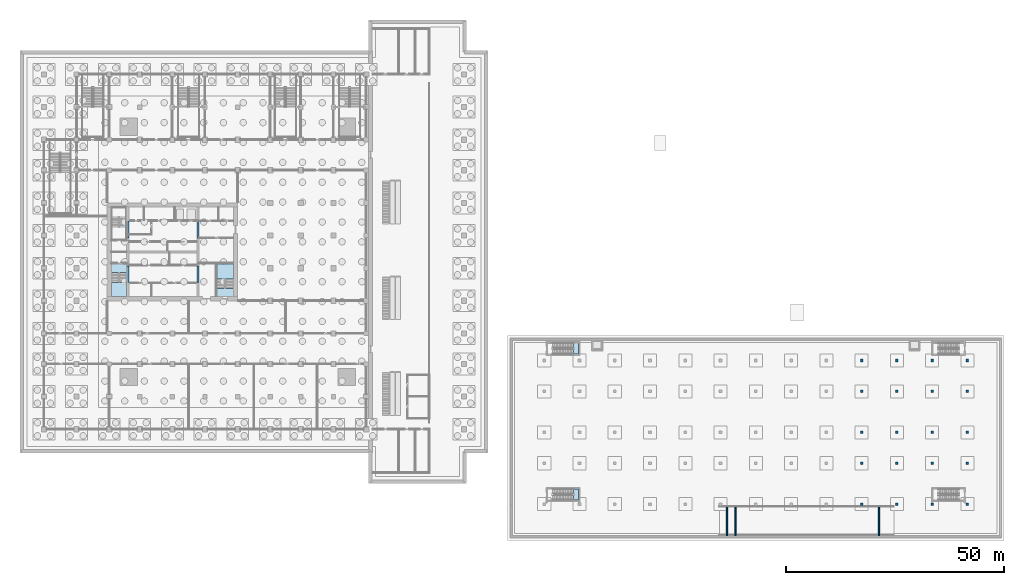
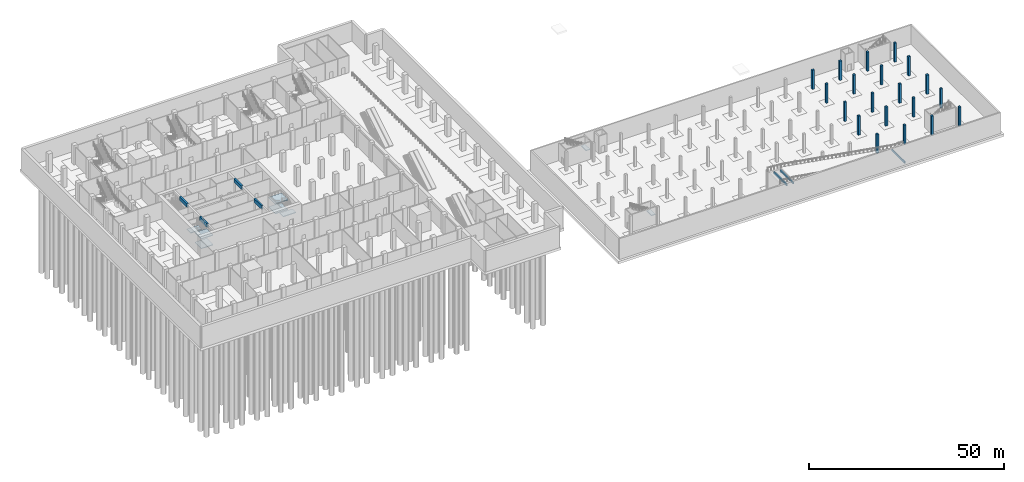
# One storey, part 4 of 39: 20 columns, 8 slabs, 7 beams, 4 elements without a shape of their own.
"""IFC4 building model written with IfcOpenShell, lengths in metres."""

import ifcopenshell
import ifcopenshell.guid

model = None  # the IFC model being written
_history = None  # IfcOwnerHistory: only IFC2X3 demands one
_inside = {}  # id of a spatial element -> (the spatial element, [elements in it])
_under = {}  # id of a project, library or spatial element -> (it, [spatial elements below it])
_declared = {}  # id of a project -> (the project, [libraries it declares])
_typed = {}  # id of a type object -> (the type object, [elements of that type])
_made_of = {}  # id of a material, layer set ... -> (it, [elements and type objects made of it])


def new_model(schema):
    """Start an empty IFC model of exactly this schema.

    Asked for "IFC4X3", IfcOpenShell would pick the latest addendum, in which some entities
    have other attributes; the version numbers below select the first issue.
    IFC2X3 requires an IfcOwnerHistory on every rooted entity: one is made here for all.
    """
    global model, _history
    if schema == "IFC4X3":
        model = ifcopenshell.file(schema_version=(4, 3, 0, 0))
    else:
        model = ifcopenshell.file(schema=schema)
    _inside.clear()
    _under.clear()
    _declared.clear()
    _typed.clear()
    _made_of.clear()
    _history = None
    if model.schema == "IFC2X3":
        org = make("IfcOrganization", Name="unknown")
        user = make(
            "IfcPersonAndOrganization",
            ThePerson=make("IfcPerson", FamilyName="unknown"),
            TheOrganization=org,
        )
        app = make(
            "IfcApplication",
            ApplicationDeveloper=org,
            Version="unknown",
            ApplicationFullName="unknown",
            ApplicationIdentifier="unknown",
        )
        _history = make(
            "IfcOwnerHistory",
            OwningUser=user,
            OwningApplication=app,
            ChangeAction="ADDED",
            CreationDate=0,
        )
    return model


def make(cls, **values):
    """One entity of the class cls with the attributes given. An attribute that is None is left unset."""
    return model.create_entity(
        cls, **{name: value for name, value in values.items() if value is not None}
    )


def rooted(cls, **values):
    """An entity with a GlobalId (a new one), such as an element, a storey or a relation."""
    return make(cls, GlobalId=ifcopenshell.guid.new(), OwnerHistory=_history, **values)


def si_unit(unit_type, name, prefix=None):
    """IfcSIUnit, for example si_unit("LENGTHUNIT", "METRE", prefix="MILLI")."""
    return make("IfcSIUnit", UnitType=unit_type, Prefix=prefix, Name=name)


def assignment(units):
    """IfcUnitAssignment: the units of a project."""
    return None if units is None else make("IfcUnitAssignment", Units=units)


def point(xyz):
    """IfcCartesianPoint."""
    return None if xyz is None else make("IfcCartesianPoint", Coordinates=xyz)


def direction(xyz):
    """IfcDirection."""
    return None if xyz is None else make("IfcDirection", DirectionRatios=xyz)


def frame(location, z_axis=None, x_axis=None):
    """IfcAxis2Placement3D, a coordinate frame: its origin and axes. An axis left out is left unset."""
    return make(
        "IfcAxis2Placement3D",
        Location=point(location),
        Axis=direction(z_axis),
        RefDirection=direction(x_axis),
    )


def frame_2d(location, x_axis=None):
    """IfcAxis2Placement2D, a coordinate frame in the plane: its origin and x axis."""
    return make(
        "IfcAxis2Placement2D", Location=point(location), RefDirection=direction(x_axis)
    )


def origin():
    """The frame at (0, 0, 0) with its axes left unset."""
    return frame((0.0, 0.0, 0.0))


def origin_2d():
    """The frame at (0, 0) in the plane with its x axis left unset."""
    return frame_2d((0.0, 0.0))


def place(relative_to, where):
    """IfcLocalPlacement: puts the frame where relative to a parent placement (None: the world)."""
    return make(
        "IfcLocalPlacement", PlacementRelTo=relative_to, RelativePlacement=where
    )


def context(
    kind, dimensions, precision=None, world=None, true_north=None, identifier=None
):
    """IfcGeometricRepresentationContext, for example the 3D "Model" context."""
    return make(
        "IfcGeometricRepresentationContext",
        ContextIdentifier=identifier,
        ContextType=kind,
        CoordinateSpaceDimension=dimensions,
        Precision=precision,
        WorldCoordinateSystem=world,
        TrueNorth=true_north,
    )


def subcontext(parent, identifier, kind, view, scale=None):
    """IfcGeometricRepresentationSubContext, for example "Body" below "Model"."""
    return make(
        "IfcGeometricRepresentationSubContext",
        ContextIdentifier=identifier,
        ContextType=kind,
        ParentContext=parent,
        TargetScale=scale,
        TargetView=view,
    )


def project(units=None, contexts=None):
    """IfcProject with its units and contexts."""
    return rooted(
        "IfcProject",
        Name="project",
        RepresentationContexts=contexts,
        UnitsInContext=assignment(units),
    )


def spatial(cls, under=None, at=None, **own):
    """A site, building, storey or space (cls), placed at a placement, below another one or the project."""
    s = rooted(cls, ObjectPlacement=at, **own)
    if under is not None:
        _under.setdefault(under.id(), (under, []))[1].append(s)
    return s


def polyline(points):
    """IfcPolyline through the points."""
    return make("IfcPolyline", Points=[point(p) for p in points])


def profile(cls, at=None, kind="AREA", **sizes):
    """A parametric profile (cls). Its sizes go by their IFC names, for example OverallWidth=200.0."""
    return make(cls, ProfileType=kind, Position=at, **sizes)


def rectangle(**sizes):
    """IfcRectangleProfileDef."""
    return profile("IfcRectangleProfileDef", **sizes)


def outline(outer, holes=None, kind="AREA"):
    """IfcArbitraryClosedProfileDef: a profile drawn as a closed curve; with holes, ...WithVoids."""
    if holes is None:
        return make("IfcArbitraryClosedProfileDef", ProfileType=kind, OuterCurve=outer)
    return make(
        "IfcArbitraryProfileDefWithVoids",
        ProfileType=kind,
        OuterCurve=outer,
        InnerCurves=holes,
    )


def extrude(swept, where, along, depth):
    """IfcExtrudedAreaSolid: the profile swept, set in the frame where, extruded along a direction by depth."""
    return make(
        "IfcExtrudedAreaSolid",
        SweptArea=swept,
        Position=where,
        ExtrudedDirection=direction(along),
        Depth=depth,
    )


def shape(context_of_items, identifier, shape_type, items):
    """IfcShapeRepresentation: the items that make up one representation, for example the "Body"."""
    return make(
        "IfcShapeRepresentation",
        ContextOfItems=context_of_items,
        RepresentationIdentifier=identifier,
        RepresentationType=shape_type,
        Items=items,
    )


def material(Name=None, Category=None):
    """IfcMaterial."""
    return make("IfcMaterial", Name=Name, Category=Category)


def layer(
    of_material, thickness, ventilated=None, Name=None, Category=None, Priority=None
):
    """IfcMaterialLayer: one layer of a wall or slab, of a material (None: an air gap)."""
    return make(
        "IfcMaterialLayer",
        Material=of_material,
        LayerThickness=thickness,
        IsVentilated=ventilated,
        Name=Name,
        Category=Category,
        Priority=Priority,
    )


def layer_set(layers, Name=None):
    """IfcMaterialLayerSet."""
    return make("IfcMaterialLayerSet", MaterialLayers=layers, LayerSetName=Name)


def material_profile(
    of_material, cross_section, Name=None, Category=None, Priority=None
):
    """IfcMaterialProfile: a cross section and its material."""
    return make(
        "IfcMaterialProfile",
        Name=Name,
        Material=of_material,
        Profile=cross_section,
        Priority=Priority,
        Category=Category,
    )


def profile_set(profiles, Name=None, composite=None):
    """IfcMaterialProfileSet."""
    return make(
        "IfcMaterialProfileSet",
        Name=Name,
        MaterialProfiles=profiles,
        CompositeProfile=composite,
    )


def made_of(thing, what):
    """Note that an element or type object is made of a material, layer set ...; save() writes the relation."""
    if what is not None:
        _made_of.setdefault(what.id(), (what, []))[1].append(thing)
    return thing


def type_object(cls, material=None, **own):
    """A type object (cls), such as IfcWallType, which elements share."""
    return made_of(rooted(cls, **own), material)


def element(
    cls,
    number,
    at=None,
    inside=None,
    cuts=None,
    type_object=None,
    material=None,
    context=None,
    identifier="Body",
    shape_type=None,
    held_by="IfcProductDefinitionShape",
    body=None,
    shapes=None,
    **own,
):
    """One element of the class cls, such as IfcWall. Its Tag is "e" and its number.

    at: its placement. inside: the storey or other place that contains it. cuts: it is an
    opening in that element (IfcRelVoidsElement). A single representation is given by context,
    identifier, shape_type and body (its items); several are given by shapes. held_by: the class
    of the entity that holds the representations. save() writes the other relations.
    """
    e = rooted(cls, Tag="e%d" % number, ObjectPlacement=at, **own)
    if body is not None:
        shapes = [shape(context, identifier, shape_type, body)]
    if shapes is not None:
        e.Representation = make(held_by, Representations=shapes)
    if inside is not None:
        _inside.setdefault(inside.id(), (inside, []))[1].append(e)
    if cuts is not None:
        rooted(
            "IfcRelVoidsElement", RelatingBuildingElement=cuts, RelatedOpeningElement=e
        )
    if type_object is not None:
        _typed.setdefault(type_object.id(), (type_object, []))[1].append(e)
    return made_of(e, material)


def aggregate(whole, parts):
    """IfcRelAggregates: a whole, such as a stair, and the parts it consists of."""
    return rooted("IfcRelAggregates", RelatingObject=whole, RelatedObjects=parts)


def save(model, path):
    """Write the relations noted so far, then the file.

    IfcRelAggregates (storeys below a building ...), IfcRelContainedInSpatialStructure (elements
    in a storey), IfcRelDefinesByType, IfcRelAssociatesMaterial and IfcRelDeclares: one each for
    every whole, place, type object, material and project.
    """
    for whole, parts in _under.values():
        aggregate(whole, parts)
    for where, things in _inside.values():
        rooted(
            "IfcRelContainedInSpatialStructure",
            RelatedElements=things,
            RelatingStructure=where,
        )
    for kind, things in _typed.values():
        rooted("IfcRelDefinesByType", RelatedObjects=things, RelatingType=kind)
    for what, things in _made_of.values():
        rooted("IfcRelAssociatesMaterial", RelatedObjects=things, RelatingMaterial=what)
    for by, libraries in _declared.values():
        rooted("IfcRelDeclares", RelatingContext=by, RelatedDefinitions=libraries)
    model.write(path)


model = new_model("IFC4")

# Units and contexts
model_context = context("Model", 3, precision=1e-05, world=origin(), true_north=direction((0.0, 1.0)))
body_context = subcontext(model_context, "Body", "Model", "MODEL_VIEW")
ifc_project = project(units=[si_unit("LENGTHUNIT", "METRE"), si_unit("AREAUNIT", "SQUARE_METRE"), si_unit("VOLUMEUNIT", "CUBIC_METRE"), si_unit("PLANEANGLEUNIT", "RADIAN"), si_unit("MASSUNIT", "GRAM", prefix="KILO")], contexts=[model_context])

# Site, building, storey
site_placement = place(None, origin())
site = spatial("IfcSite", under=ifc_project, at=site_placement, CompositionType="ELEMENT")
building_placement = place(site_placement, origin())
building = spatial("IfcBuilding", under=site, at=building_placement, Name="Tamorin Gate", CompositionType="ELEMENT")
storey_placement = place(building_placement, frame((0.0, 0.0, -12.0)))
storey = spatial("IfcBuildingStorey", under=building, at=storey_placement, Name="B2", CompositionType="ELEMENT", Elevation=-12.0)

# Columns
ifc_material_1 = material(Name="Concrete C50/60", Category="concrete")
ifc_material_profile_1 = material_profile(ifc_material_1, rectangle(XDim=0.60009765625, YDim=0.60009765625, at=origin_2d()))
ifc_profile_set_1 = profile_set([ifc_material_profile_1], Name="Concrete C50/60")
column_type = type_object("IfcColumnType", Name="RC column 600x600 C50/60", PredefinedType="COLUMN", material=ifc_profile_set_1)
for number, where, z_axis, x_axis, name in (
    (1, (203.300048828125, 13.300048828125, 0.0), (0.0, 0.0, 1.0), (1.0, 0.0, 0.0), "Car park column B2"),
    (2, (203.300048828125, 22.699951171875, 0.0), (0.0, 0.0, 1.0), (1.0, 0.0, 0.0), "Car park column B2"),
    (3, (203.300048828125, 29.800048828125, 0.0), (0.0, 0.0, 1.0), (1.0, 0.0, 0.0), "Car park column B2"),
    (4, (203.300048828125, 39.199951171875, 0.0), (0.0, 0.0, 1.0), (1.0, 0.0, 0.0), "Car park column B2"),
    (5, (203.300048828125, 46.300048828125, 0.0), (0.0, 0.0, 1.0), (1.0, 0.0, 0.0), "Car park column B2"),
    (6, (211.39990234375, 13.300048828125, 0.0), (0.0, 0.0, 1.0), (1.0, 0.0, 0.0), "Car park column B2"),
    (7, (211.39990234375, 22.699951171875, 0.0), (0.0, 0.0, 1.0), (1.0, 0.0, 0.0), "Car park column B2"),
    (8, (211.39990234375, 29.800048828125, 0.0), (0.0, 0.0, 1.0), (1.0, 0.0, 0.0), "Car park column B2"),
    (9, (211.39990234375, 39.199951171875, 0.0), (0.0, 0.0, 1.0), (1.0, 0.0, 0.0), "Car park column B2"),
    (10, (211.39990234375, 46.300048828125, 0.0), (0.0, 0.0, 1.0), (1.0, 0.0, 0.0), "Car park column B2"),
    (11, (219.5, 13.300048828125, 0.0), (0.0, 0.0, 1.0), (1.0, 0.0, 0.0), "Car park column B2"),
    (12, (219.5, 22.699951171875, 0.0), (0.0, 0.0, 1.0), (1.0, 0.0, 0.0), "Car park column B2"),
    (13, (219.5, 29.800048828125, 0.0), (0.0, 0.0, 1.0), (1.0, 0.0, 0.0), "Car park column B2"),
    (14, (219.5, 39.199951171875, 0.0), (0.0, 0.0, 1.0), (1.0, 0.0, 0.0), "Car park column B2"),
    (15, (219.5, 46.300048828125, 0.0), (0.0, 0.0, 1.0), (1.0, 0.0, 0.0), "Car park column B2"),
    (16, (227.60009765625, 13.300048828125, 0.0), (0.0, 0.0, 1.0), (1.0, 0.0, 0.0), "Car park column B2"),
    (17, (227.60009765625, 22.699951171875, 0.0), (0.0, 0.0, 1.0), (1.0, 0.0, 0.0), "Car park column B2"),
    (18, (227.60009765625, 29.800048828125, 0.0), (0.0, 0.0, 1.0), (1.0, 0.0, 0.0), "Car park column B2"),
    (19, (227.60009765625, 39.199951171875, 0.0), (0.0, 0.0, 1.0), (1.0, 0.0, 0.0), "Car park column B2"),
    (20, (227.60009765625, 46.300048828125, 0.0), (0.0, 0.0, 1.0), (1.0, 0.0, 0.0), "Car park column B2"),
):
    element("IfcColumn", number, at=place(storey_placement, frame(where, z_axis=z_axis, x_axis=x_axis)), inside=storey, type_object=column_type, Name=name, PredefinedType="COLUMN", context=body_context, shape_type="SweptSolid", body=[
        extrude(rectangle(XDim=0.60009765625, YDim=0.60009765625, at=origin_2d()), origin(), (0.0, 0.0, 1.0), 6.0),
    ])

# Beams
ifc_material_2 = material(Name="Concrete C40/50", Category="concrete")
ifc_material_profile_2 = material_profile(ifc_material_2, rectangle(XDim=0.300048828125, YDim=0.60009765625, at=origin_2d()))
ifc_profile_set_2 = profile_set([ifc_material_profile_2], Name="Concrete C40/50")
beam_type_1 = type_object("IfcBeamType", Name="RC Ramp edge beam 300x600 C40/50", PredefinedType="BEAM", material=ifc_profile_set_2)
for number, where, z_axis, x_axis, name in (
    (21, (172.39990234375, 6.0, 5.163330078125), (0.0, 1.0, 0.0), (-1.0, 0.0, 0.0), "Ramp edge beam"),
    (22, (174.3134765625, 6.0, 5.0556640625), (0.0, 1.0, 0.0), (-1.0, 0.0, 0.0), "Ramp junction beam"),
    (23, (207.300048828125, 6.0, -0.050048828125), (0.0, 1.0, 0.0), (-1.0, 0.0, 0.0), "Ramp junction beam"),
):
    element("IfcBeam", number, at=place(storey_placement, frame(where, z_axis=z_axis, x_axis=x_axis)), inside=storey, type_object=beam_type_1, Name=name, PredefinedType="BEAM", context=body_context, shape_type="SweptSolid", body=[
        extrude(rectangle(XDim=0.300048828125, YDim=0.60009765625, at=origin_2d()), origin(), (0.0, 0.0, 1.0), 6.60009765625),
    ])
ifc_material_3 = material(Name="Concrete C80/95", Category="concrete")
ifc_material_profile_3 = material_profile(ifc_material_3, rectangle(XDim=0.5, YDim=1.199951171875, at=origin_2d()), Name="RC 500x1200")
ifc_profile_set_3 = profile_set([ifc_material_profile_3], Name="Concrete C80/95")
beam_type_2 = type_object("IfcBeamType", Name="RC coupling beam 500x1200 C80/95", PredefinedType="BEAM", material=ifc_profile_set_3)
for number, where, z_axis, x_axis, name in (
    (24, (34.75, 64.199951171875, 5.39990234375), (0.0, 1.0, 0.0), (-1.0, 0.0, 0.0), "Coupling beam B2"),
    (25, (34.75, 74.449951171875, 5.39990234375), (0.0, 1.0, 0.0), (-1.0, 0.0, 0.0), "Coupling beam B2"),
    (26, (50.85009765625, 64.199951171875, 5.39990234375), (0.0, 1.0, 0.0), (-1.0, 0.0, 0.0), "Coupling beam B2"),
    (27, (50.85009765625, 74.449951171875, 5.39990234375), (0.0, 1.0, 0.0), (-1.0, 0.0, 0.0), "Coupling beam B2"),
):
    element("IfcBeam", number, at=place(storey_placement, frame(where, z_axis=z_axis, x_axis=x_axis)), inside=storey, type_object=beam_type_2, Name=name, PredefinedType="BEAM", context=body_context, shape_type="SweptSolid", body=[
        extrude(rectangle(XDim=0.5, YDim=1.199951171875, at=origin_2d()), origin(), (0.0, 0.0, 1.0), 3.85009765625),
    ])

# Stair, slabs
stair_type_1 = type_object("IfcStairType", Name="Exit stair", PredefinedType="HALF_TURN_STAIR", material=ifc_material_2)
stair_1_placement = place(storey_placement, origin())
stair_1 = element("IfcStair", 28, at=stair_1_placement, inside=storey, type_object=stair_type_1, Name="B2 stair ST1", PredefinedType="HALF_TURN_STAIR")
ifc_layer_1 = layer(ifc_material_2, 0.199951171875)
ifc_layer_set_1 = layer_set([ifc_layer_1], Name="Exit stair landing 200")
slab_type_1 = type_object("IfcSlabType", Name="Exit stair landing 200", PredefinedType="LANDING", material=ifc_layer_set_1)
slab_1_placement = place(storey_placement, frame((0.0, 0.0, 1.300048828125)))
slab_1 = element("IfcSlab", 29, at=slab_1_placement, type_object=slab_type_1, Name="ST1 landing 1", PredefinedType="LANDING", context=body_context, shape_type="SweptSolid", body=[
    extrude(outline(polyline([(31.0, 64.260009765625), (31.0, 61.0), (34.5, 61.0), (34.5, 64.260009765625), (31.0, 64.260009765625)])), origin(), (0.0, 0.0, 1.0), 0.199951171875),
])
slab_2_placement = place(storey_placement, frame((0.0, 0.0, 2.800048828125)))
slab_2 = element("IfcSlab", 30, at=slab_2_placement, type_object=slab_type_1, Name="ST1 landing 2", PredefinedType="LANDING", context=body_context, shape_type="SweptSolid", body=[
    extrude(outline(polyline([(31.0, 68.5), (31.0, 66.5), (34.5, 66.5), (34.5, 68.5), (31.0, 68.5)])), origin(), (0.0, 0.0, 1.0), 0.199951171875),
])
slab_3_placement = place(storey_placement, frame((0.0, 0.0, 4.300048828125)))
slab_3 = element("IfcSlab", 31, at=slab_3_placement, type_object=slab_type_1, Name="ST1 landing 3", PredefinedType="LANDING", context=body_context, shape_type="SweptSolid", body=[
    extrude(outline(polyline([(31.0, 64.260009765625), (31.0, 61.0), (34.5, 61.0), (34.5, 64.260009765625), (31.0, 64.260009765625)])), origin(), (0.0, 0.0, 1.0), 0.199951171875),
])
aggregate(stair_1, [slab_1, slab_2, slab_3])

stair_2_placement = place(storey_placement, origin())
stair_2 = element("IfcStair", 32, at=stair_2_placement, inside=storey, type_object=stair_type_1, Name="B2 stair ST3", PredefinedType="HALF_TURN_STAIR")
slab_4_placement = place(storey_placement, frame((0.0, 0.0, 1.300048828125)))
slab_4 = element("IfcSlab", 33, at=slab_4_placement, type_object=slab_type_1, Name="ST3 landing 1", PredefinedType="LANDING", context=body_context, shape_type="SweptSolid", body=[
    extrude(outline(polyline([(59.0, 65.0400390625), (59.0, 68.5), (55.199951171875, 68.5), (55.199951171875, 65.0400390625), (59.0, 65.0400390625)])), origin(), (0.0, 0.0, 1.0), 0.199951171875),
])
slab_5_placement = place(storey_placement, frame((0.0, 0.0, 2.800048828125)))
slab_5 = element("IfcSlab", 34, at=slab_5_placement, type_object=slab_type_1, Name="ST3 landing 2", PredefinedType="LANDING", context=body_context, shape_type="SweptSolid", body=[
    extrude(outline(polyline([(59.0, 61.0), (59.0, 62.800048828125), (55.199951171875, 62.800048828125), (55.199951171875, 61.0), (59.0, 61.0)])), origin(), (0.0, 0.0, 1.0), 0.199951171875),
])
slab_6_placement = place(storey_placement, frame((0.0, 0.0, 4.300048828125)))
slab_6 = element("IfcSlab", 35, at=slab_6_placement, type_object=slab_type_1, Name="ST3 landing 3", PredefinedType="LANDING", context=body_context, shape_type="SweptSolid", body=[
    extrude(outline(polyline([(59.0, 65.0400390625), (59.0, 68.5), (55.199951171875, 68.5), (55.199951171875, 65.0400390625), (59.0, 65.0400390625)])), origin(), (0.0, 0.0, 1.0), 0.199951171875),
])
aggregate(stair_2, [slab_4, slab_5, slab_6])

# Stair, slab
stair_type_2 = type_object("IfcStairType", Name="Exit stair 1200 C40/50", PredefinedType="HALF_TURN_STAIR", material=ifc_material_2)
stair_3_placement = place(storey_placement, origin())
stair_3 = element("IfcStair", 36, at=stair_3_placement, inside=storey, type_object=stair_type_2, Name="B2 SB6", PredefinedType="HALF_TURN_STAIR")
ifc_layer_2 = layer(ifc_material_2, 0.199951171875)
ifc_layer_set_2 = layer_set([ifc_layer_2], Name="Stair landing slab 200 C40/50")
slab_type_2 = type_object("IfcSlabType", Name="Stair landing slab 200 C40/50", PredefinedType="LANDING", material=ifc_layer_set_2)
slab_7_placement = place(storey_placement, frame((0.0, 0.0, 2.800048828125)))
slab_7 = element("IfcSlab", 37, at=slab_7_placement, type_object=slab_type_2, Name="SB6 landing 1", PredefinedType="LANDING", context=body_context, shape_type="SweptSolid", body=[
    extrude(outline(polyline([(137.110107421875, 14.25), (138.31005859375, 14.25), (138.31005859375, 16.800048828125), (137.110107421875, 16.800048828125), (137.110107421875, 14.25)])), origin(), (0.0, 0.0, 1.0), 0.199951171875),
])
aggregate(stair_3, [slab_7])

stair_4_placement = place(storey_placement, origin())
stair_4 = element("IfcStair", 38, at=stair_4_placement, inside=storey, type_object=stair_type_2, Name="B2 SB7", PredefinedType="HALF_TURN_STAIR")
slab_8_placement = place(storey_placement, frame((0.0, 0.0, 2.800048828125)))
slab_8 = element("IfcSlab", 39, at=slab_8_placement, type_object=slab_type_2, Name="SB7 landing 1", PredefinedType="LANDING", context=body_context, shape_type="SweptSolid", body=[
    extrude(outline(polyline([(137.110107421875, 47.75), (138.31005859375, 47.75), (138.31005859375, 50.300048828125), (137.110107421875, 50.300048828125), (137.110107421875, 47.75)])), origin(), (0.0, 0.0, 1.0), 0.199951171875),
])
aggregate(stair_4, [slab_8])

save(model, "model.ifc")
